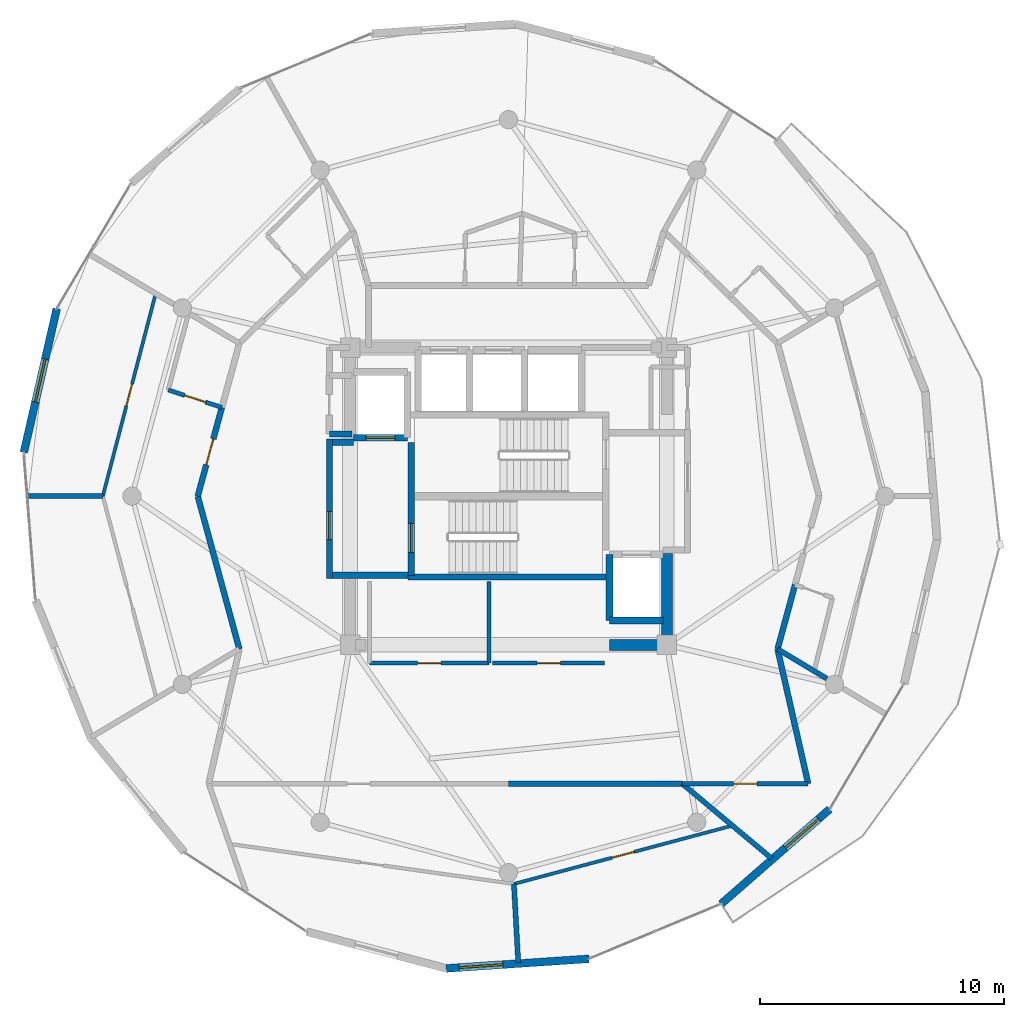
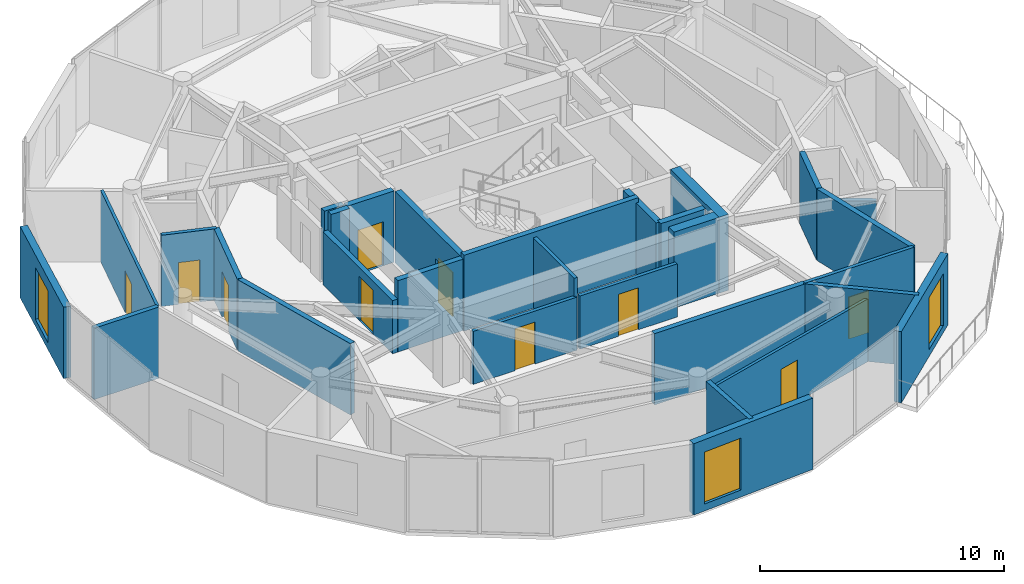
# One storey, part 17 of 22: 30 walls, 10 doors, 3 windows, 13 openings.
"""IFC4 building model written with IfcOpenShell, lengths in metres."""

import ifcopenshell
import ifcopenshell.guid

model = None  # the IFC model being written
_history = None  # IfcOwnerHistory: only IFC2X3 demands one
_inside = {}  # id of a spatial element -> (the spatial element, [elements in it])
_under = {}  # id of a project, library or spatial element -> (it, [spatial elements below it])
_declared = {}  # id of a project -> (the project, [libraries it declares])
_typed = {}  # id of a type object -> (the type object, [elements of that type])
_made_of = {}  # id of a material, layer set ... -> (it, [elements and type objects made of it])


def new_model(schema):
    """Start an empty IFC model of exactly this schema.

    Asked for "IFC4X3", IfcOpenShell would pick the latest addendum, in which some entities
    have other attributes; the version numbers below select the first issue.
    IFC2X3 requires an IfcOwnerHistory on every rooted entity: one is made here for all.
    """
    global model, _history
    if schema == "IFC4X3":
        model = ifcopenshell.file(schema_version=(4, 3, 0, 0))
    else:
        model = ifcopenshell.file(schema=schema)
    _inside.clear()
    _under.clear()
    _declared.clear()
    _typed.clear()
    _made_of.clear()
    _history = None
    if model.schema == "IFC2X3":
        org = make("IfcOrganization", Name="unknown")
        user = make(
            "IfcPersonAndOrganization",
            ThePerson=make("IfcPerson", FamilyName="unknown"),
            TheOrganization=org,
        )
        app = make(
            "IfcApplication",
            ApplicationDeveloper=org,
            Version="unknown",
            ApplicationFullName="unknown",
            ApplicationIdentifier="unknown",
        )
        _history = make(
            "IfcOwnerHistory",
            OwningUser=user,
            OwningApplication=app,
            ChangeAction="ADDED",
            CreationDate=0,
        )
    return model


def make(cls, **values):
    """One entity of the class cls with the attributes given. An attribute that is None is left unset."""
    return model.create_entity(
        cls, **{name: value for name, value in values.items() if value is not None}
    )


def rooted(cls, **values):
    """An entity with a GlobalId (a new one), such as an element, a storey or a relation."""
    return make(cls, GlobalId=ifcopenshell.guid.new(), OwnerHistory=_history, **values)


def si_unit(unit_type, name, prefix=None):
    """IfcSIUnit, for example si_unit("LENGTHUNIT", "METRE", prefix="MILLI")."""
    return make("IfcSIUnit", UnitType=unit_type, Prefix=prefix, Name=name)


def assignment(units):
    """IfcUnitAssignment: the units of a project."""
    return None if units is None else make("IfcUnitAssignment", Units=units)


def point(xyz):
    """IfcCartesianPoint."""
    return None if xyz is None else make("IfcCartesianPoint", Coordinates=xyz)


def direction(xyz):
    """IfcDirection."""
    return None if xyz is None else make("IfcDirection", DirectionRatios=xyz)


def frame(location, z_axis=None, x_axis=None):
    """IfcAxis2Placement3D, a coordinate frame: its origin and axes. An axis left out is left unset."""
    return make(
        "IfcAxis2Placement3D",
        Location=point(location),
        Axis=direction(z_axis),
        RefDirection=direction(x_axis),
    )


def frame_2d(location, x_axis=None):
    """IfcAxis2Placement2D, a coordinate frame in the plane: its origin and x axis."""
    return make(
        "IfcAxis2Placement2D", Location=point(location), RefDirection=direction(x_axis)
    )


def origin():
    """The frame at (0, 0, 0) with its axes left unset."""
    return frame((0.0, 0.0, 0.0))


def place(relative_to, where):
    """IfcLocalPlacement: puts the frame where relative to a parent placement (None: the world)."""
    return make(
        "IfcLocalPlacement", PlacementRelTo=relative_to, RelativePlacement=where
    )


def context(
    kind, dimensions, precision=None, world=None, true_north=None, identifier=None
):
    """IfcGeometricRepresentationContext, for example the 3D "Model" context."""
    return make(
        "IfcGeometricRepresentationContext",
        ContextIdentifier=identifier,
        ContextType=kind,
        CoordinateSpaceDimension=dimensions,
        Precision=precision,
        WorldCoordinateSystem=world,
        TrueNorth=true_north,
    )


def subcontext(parent, identifier, kind, view, scale=None):
    """IfcGeometricRepresentationSubContext, for example "Body" below "Model"."""
    return make(
        "IfcGeometricRepresentationSubContext",
        ContextIdentifier=identifier,
        ContextType=kind,
        ParentContext=parent,
        TargetScale=scale,
        TargetView=view,
    )


def project(units=None, contexts=None):
    """IfcProject with its units and contexts."""
    return rooted(
        "IfcProject",
        Name="project",
        RepresentationContexts=contexts,
        UnitsInContext=assignment(units),
    )


def spatial(cls, under=None, at=None, **own):
    """A site, building, storey or space (cls), placed at a placement, below another one or the project."""
    s = rooted(cls, ObjectPlacement=at, **own)
    if under is not None:
        _under.setdefault(under.id(), (under, []))[1].append(s)
    return s


def profile(cls, at=None, kind="AREA", **sizes):
    """A parametric profile (cls). Its sizes go by their IFC names, for example OverallWidth=200.0."""
    return make(cls, ProfileType=kind, Position=at, **sizes)


def rectangle(**sizes):
    """IfcRectangleProfileDef."""
    return profile("IfcRectangleProfileDef", **sizes)


def extrude(swept, where, along, depth):
    """IfcExtrudedAreaSolid: the profile swept, set in the frame where, extruded along a direction by depth."""
    return make(
        "IfcExtrudedAreaSolid",
        SweptArea=swept,
        Position=where,
        ExtrudedDirection=direction(along),
        Depth=depth,
    )


def shape(context_of_items, identifier, shape_type, items):
    """IfcShapeRepresentation: the items that make up one representation, for example the "Body"."""
    return make(
        "IfcShapeRepresentation",
        ContextOfItems=context_of_items,
        RepresentationIdentifier=identifier,
        RepresentationType=shape_type,
        Items=items,
    )


def material(Name=None, Category=None):
    """IfcMaterial."""
    return make("IfcMaterial", Name=Name, Category=Category)


def layer(
    of_material, thickness, ventilated=None, Name=None, Category=None, Priority=None
):
    """IfcMaterialLayer: one layer of a wall or slab, of a material (None: an air gap)."""
    return make(
        "IfcMaterialLayer",
        Material=of_material,
        LayerThickness=thickness,
        IsVentilated=ventilated,
        Name=Name,
        Category=Category,
        Priority=Priority,
    )


def layer_set(layers, Name=None):
    """IfcMaterialLayerSet."""
    return make("IfcMaterialLayerSet", MaterialLayers=layers, LayerSetName=Name)


def made_of(thing, what):
    """Note that an element or type object is made of a material, layer set ...; save() writes the relation."""
    if what is not None:
        _made_of.setdefault(what.id(), (what, []))[1].append(thing)
    return thing


def type_object(cls, material=None, **own):
    """A type object (cls), such as IfcWallType, which elements share."""
    return made_of(rooted(cls, **own), material)


def element(
    cls,
    number,
    at=None,
    inside=None,
    cuts=None,
    type_object=None,
    material=None,
    context=None,
    identifier="Body",
    shape_type=None,
    held_by="IfcProductDefinitionShape",
    body=None,
    shapes=None,
    **own,
):
    """One element of the class cls, such as IfcWall. Its Tag is "e" and its number.

    at: its placement. inside: the storey or other place that contains it. cuts: it is an
    opening in that element (IfcRelVoidsElement). A single representation is given by context,
    identifier, shape_type and body (its items); several are given by shapes. held_by: the class
    of the entity that holds the representations. save() writes the other relations.
    """
    e = rooted(cls, Tag="e%d" % number, ObjectPlacement=at, **own)
    if body is not None:
        shapes = [shape(context, identifier, shape_type, body)]
    if shapes is not None:
        e.Representation = make(held_by, Representations=shapes)
    if inside is not None:
        _inside.setdefault(inside.id(), (inside, []))[1].append(e)
    if cuts is not None:
        rooted(
            "IfcRelVoidsElement", RelatingBuildingElement=cuts, RelatedOpeningElement=e
        )
    if type_object is not None:
        _typed.setdefault(type_object.id(), (type_object, []))[1].append(e)
    return made_of(e, material)


def fill(opening, filler):
    """IfcRelFillsElement: the door or window that sits in an opening."""
    return rooted(
        "IfcRelFillsElement",
        RelatingOpeningElement=opening,
        RelatedBuildingElement=filler,
    )


def aggregate(whole, parts):
    """IfcRelAggregates: a whole, such as a stair, and the parts it consists of."""
    return rooted("IfcRelAggregates", RelatingObject=whole, RelatedObjects=parts)


def save(model, path):
    """Write the relations noted so far, then the file.

    IfcRelAggregates (storeys below a building ...), IfcRelContainedInSpatialStructure (elements
    in a storey), IfcRelDefinesByType, IfcRelAssociatesMaterial and IfcRelDeclares: one each for
    every whole, place, type object, material and project.
    """
    for whole, parts in _under.values():
        aggregate(whole, parts)
    for where, things in _inside.values():
        rooted(
            "IfcRelContainedInSpatialStructure",
            RelatedElements=things,
            RelatingStructure=where,
        )
    for kind, things in _typed.values():
        rooted("IfcRelDefinesByType", RelatedObjects=things, RelatingType=kind)
    for what, things in _made_of.values():
        rooted("IfcRelAssociatesMaterial", RelatedObjects=things, RelatingMaterial=what)
    for by, libraries in _declared.values():
        rooted("IfcRelDeclares", RelatingContext=by, RelatedDefinitions=libraries)
    model.write(path)


model = new_model("IFC4")

# Units and contexts
model_context = context("Model", 3, precision=1e-05, world=origin(), true_north=direction((0.0, 1.0)))
body_context = subcontext(model_context, "Body", "Model", "MODEL_VIEW")
ifc_project = project(units=[si_unit("LENGTHUNIT", "METRE"), si_unit("AREAUNIT", "SQUARE_METRE"), si_unit("VOLUMEUNIT", "CUBIC_METRE"), si_unit("PLANEANGLEUNIT", "RADIAN"), si_unit("MASSUNIT", "GRAM", prefix="KILO")], contexts=[model_context])

# Site, building, storey
site_placement = place(None, origin())
site = spatial("IfcSite", under=ifc_project, at=site_placement, CompositionType="ELEMENT")
building_placement = place(site_placement, origin())
building = spatial("IfcBuilding", under=site, at=building_placement, Name="Solvirekh Grand Hotel", CompositionType="ELEMENT")
storey_placement = place(building_placement, frame((0.0, 0.0, 239.199951171875)))
storey = spatial("IfcBuildingStorey", under=building, at=storey_placement, Name="L62", CompositionType="ELEMENT", Elevation=239.199951171875)

# Wall
ifc_material_1 = material(Name="Concrete C50/60", Category="concrete")
ifc_layer_1 = layer(ifc_material_1, 0.35009765625)
ifc_layer_set_1 = layer_set([ifc_layer_1], Name="Concrete C50/60")
wall_type_1 = type_object("IfcWallType", Name="CoreDivWall_RC350", PredefinedType="SOLIDWALL", material=ifc_layer_set_1)
wall_1_placement = place(storey_placement, frame((-4.1298828125, -3.324951171875, 0.0), z_axis=(0.0, 0.0, 1.0), x_axis=(1.0, 0.0, 0.0)))
element("IfcWall", 1, at=wall_1_placement, inside=storey, type_object=wall_type_1, Name="L62 core stair box wall ST-S", PredefinedType="SOLIDWALL", context=body_context, shape_type="SweptSolid", body=[
    extrude(rectangle(XDim=8.259765625, YDim=0.25, at=frame_2d((4.1298828125, 0.0))), origin(), (0.0, 0.0, 1.0), 3.800048828125),
])

# Wall, opening, door
ifc_material_2 = material(Name="Concrete C40/50", Category="concrete")
ifc_layer_2 = layer(ifc_material_2, 0.280029296875)
ifc_layer_set_2 = layer_set([ifc_layer_2], Name="Concrete C40/50")
wall_type_2 = type_object("IfcWallType", Name="CoreShaftWall_RC280", PredefinedType="SOLIDWALL", material=ifc_layer_set_2)
wall_2_placement = place(storey_placement, frame((-6.35009765625, 2.39990234375, 0.0), z_axis=(0.0, 0.0, 1.0), x_axis=(1.0, 0.0, 0.0)))
wall_2 = element("IfcWall", 2, at=wall_2_placement, inside=storey, type_object=wall_type_2, Name="L62 FL-1 hoistway S wall", PredefinedType="SOLIDWALL", context=body_context, shape_type="SweptSolid", body=[
    extrude(rectangle(XDim=2.2001953125, YDim=0.280029296875, at=frame_2d((1.10009765625, 0.0))), origin(), (0.0, 0.0, 1.0), 3.570068359375),
])
opening_1_placement = place(wall_2_placement, frame((0.5, 0.0, 0.0)))
opening_1 = element("IfcOpeningElement", 3, at=opening_1_placement, cuts=wall_2, Name="Opening LD02", PredefinedType="OPENING", context=body_context, shape_type="SweptSolid", body=[
    extrude(rectangle(XDim=1.199951171875, YDim=2.199951171875, at=frame_2d((0.60009765625, 1.10009765625))), frame((0.0, 0.14990234375, 0.0), z_axis=(0.0, -1.0, 0.0), x_axis=(1.0, 0.0, 0.0)), (0.0, 0.0, 1.0), 0.300048828125),
])
ifc_material_3 = material(Name="Fire-Rated Steel Door Assembly", Category="steel")
door_type_1 = type_object("IfcDoorType", Name="Door_LiftFF_1200X2200", OperationType="SLIDING_TO_LEFT", PredefinedType="DOOR", material=ifc_material_3)
door_1_placement = place(opening_1_placement, origin())
door_1 = element("IfcDoor", 4, at=door_1_placement, inside=storey, type_object=door_type_1, Name="L62 FL-1 sliding lift landing door", OperationType="SLIDING_TO_LEFT", OverallHeight=2.199951171875, OverallWidth=1.199951171875, PredefinedType="DOOR", context=body_context, shape_type="SweptSolid", body=[
    extrude(rectangle(XDim=1.199951171875, YDim=2.199951171875, at=frame_2d((0.60009765625, 1.10009765625))), frame((0.0, 0.02490234375, 0.0), z_axis=(0.0, -1.0, 0.0), x_axis=(1.0, 0.0, 0.0)), (0.0, 0.0, 1.0), 0.050048828125),
])
fill(opening_1, door_1)

# Walls
wall_3_placement = place(storey_placement, frame((4.14990234375, -5.10009765625, 0.0), z_axis=(0.0, 0.0, 1.0), x_axis=(1.0, 0.0, 0.0)))
element("IfcWall", 5, at=wall_3_placement, inside=storey, type_object=wall_type_2, Name="L62 FL-2 hoistway S wall", PredefinedType="SOLIDWALL", context=body_context, shape_type="SweptSolid", body=[
    extrude(rectangle(XDim=2.2001953125, YDim=0.280029296875, at=frame_2d((1.10009765625, 0.0))), origin(), (0.0, 0.0, 1.0), 3.570068359375),
])
wall_4_placement = place(storey_placement, frame((4.14990234375, -2.39990234375, 0.0), z_axis=(0.0, 0.0, 1.0), x_axis=(0.0, -1.0, 0.0)))
element("IfcWall", 6, at=wall_4_placement, inside=storey, type_object=wall_type_2, Name="L62 FL-2 hoistway W wall", PredefinedType="SOLIDWALL", context=body_context, shape_type="SweptSolid", body=[
    extrude(rectangle(XDim=2.7001953125, YDim=0.280029296875, at=frame_2d((1.35009765625, 0.0))), origin(), (0.0, 0.0, 1.0), 3.570068359375),
])

# Wall, opening, door
wall_5_placement = place(storey_placement, frame((-3.989990234375, -3.25, 0.0), z_axis=(0.0, 0.0, 1.0), x_axis=(0.0, 1.0, 0.0)))
wall_5 = element("IfcWall", 7, at=wall_5_placement, inside=storey, type_object=wall_type_2, Name="L62 west stair landing enclosure wall", PredefinedType="SOLIDWALL", context=body_context, shape_type="SweptSolid", body=[
    extrude(rectangle(XDim=5.4599609375, YDim=0.280029296875, at=frame_2d((2.72998046875, 0.0))), origin(), (0.0, 0.0, 1.0), 3.570068359375),
])
opening_2_placement = place(wall_5_placement, frame((0.93701171875, 0.0, 0.0)))
opening_2 = element("IfcOpeningElement", 8, at=opening_2_placement, cuts=wall_5, Name="Opening D05", PredefinedType="OPENING", context=body_context, shape_type="SweptSolid", body=[
    extrude(rectangle(XDim=1.199951171875, YDim=2.199951171875, at=frame_2d((0.60009765625, 1.10009765625))), frame((0.0, 0.14990234375, 0.0), z_axis=(0.0, -1.0, 0.0), x_axis=(1.0, 0.0, 0.0)), (0.0, 0.0, 1.0), 0.300048828125),
])
door_type_2 = type_object("IfcDoorType", Name="Door_StairCore_1200X2200", OperationType="NOTDEFINED", PredefinedType="DOOR", material=ifc_material_3)
door_2_placement = place(opening_2_placement, origin())
door_2 = element("IfcDoor", 9, at=door_2_placement, inside=storey, type_object=door_type_2, Name="L62 exit stair ST-1 fire door", OperationType="SINGLE_SWING_RIGHT", OverallHeight=2.199951171875, OverallWidth=1.199951171875, PredefinedType="DOOR", context=body_context, shape_type="SweptSolid", body=[
    extrude(rectangle(XDim=1.199951171875, YDim=2.199951171875, at=frame_2d((0.60009765625, 1.10009765625))), frame((0.0, 0.02490234375, 0.0), z_axis=(0.0, -1.0, 0.0), x_axis=(1.0, 0.0, 0.0)), (0.0, 0.0, 1.0), 0.050048828125),
])
fill(opening_2, door_2)

# Walls
ifc_layer_3 = layer(ifc_material_1, 0.449951171875)
ifc_layer_set_3 = layer_set([ifc_layer_3], Name="Concrete C50/60")
wall_type_3 = type_object("IfcWallType", Name="CoreWall_RC450", PredefinedType="SHEAR", material=ifc_layer_set_3)
wall_6_placement = place(storey_placement, frame((4.14990234375, -6.10009765625, 0.0), z_axis=(0.0, 0.0, 1.0), x_axis=(1.0, 0.0, 0.0)))
element("IfcWall", 10, at=wall_6_placement, inside=storey, type_object=wall_type_3, Name="L62 core corner shear wall SE-S", PredefinedType="SHEAR", context=body_context, shape_type="SweptSolid", body=[
    extrude(rectangle(XDim=2.125, YDim=0.449951171875, at=frame_2d((1.0625, 0.0))), origin(), (0.0, 0.0, 1.0), 3.800048828125),
])
wall_7_placement = place(storey_placement, frame((6.5, -6.324951171875, 0.0), z_axis=(0.0, 0.0, 1.0), x_axis=(0.0, 1.0, 0.0)))
element("IfcWall", 11, at=wall_7_placement, inside=storey, type_object=wall_type_3, Name="L62 core corner shear wall ES-E", PredefinedType="SHEAR", context=body_context, shape_type="SweptSolid", body=[
    extrude(rectangle(XDim=3.974853515625, YDim=0.449951171875, at=frame_2d((1.9873046875, 0.0))), origin(), (0.0, 0.0, 1.0), 3.800048828125),
])

# Wall, opening, window
ifc_material_4 = material(Name="Precast concrete C45/55", Category="concrete")
ifc_layer_4 = layer(ifc_material_4, 0.320068359375)
ifc_layer_set_4 = layer_set([ifc_layer_4], Name="Precast concrete C45/55")
wall_type_4 = type_object("IfcWallType", Name="ExtLobbyWall_RC320", PredefinedType="SOLIDWALL", material=ifc_layer_set_4)
wall_8_placement = place(storey_placement, frame((13.181884765625, -12.842041015625, 0.0), z_axis=(0.0, 0.0, 1.0), x_axis=(-0.753243589512, -0.657741662706, 0.0)))
wall_8 = element("IfcWall", 12, at=wall_8_placement, inside=storey, type_object=wall_type_4, Name="L62 exterior structural wall chord 2", PredefinedType="SOLIDWALL", context=body_context, shape_type="SweptSolid", body=[
    extrude(rectangle(XDim=5.91552734375, YDim=0.320068359375, at=frame_2d((2.957763671875, 0.0))), origin(), (0.0, 0.0, 1.0), 3.570068359375),
])
opening_3_placement = place(wall_8_placement, frame((0.612060546875, 0.0, 0.35009765625)))
opening_3 = element("IfcOpeningElement", 13, at=opening_3_placement, cuts=wall_8, Name="Opening W02", PredefinedType="OPENING", context=body_context, shape_type="SweptSolid", body=[
    extrude(rectangle(XDim=1.800048828125, YDim=2.60009765625, at=frame_2d((0.89990234375, 1.300048828125))), frame((0.0, 0.169921875, 0.0), z_axis=(0.0, -1.0, 0.0), x_axis=(1.0, 0.0, 0.0)), (0.0, 0.0, 1.0), 0.340087890625),
])
ifc_material_5 = material(Name="Low-E Tinted Bronze Laminated Glass", Category="aluminium")
window_type = type_object("IfcWindowType", Name="Win_LobbyExt_1800X2600", PartitioningType="SINGLE_PANEL", PredefinedType="WINDOW", material=ifc_material_5)
window_1_placement = place(opening_3_placement, origin())
window_1 = element("IfcWindow", 14, at=window_1_placement, inside=storey, type_object=window_type, Name="L62 panoramic bronze-framed window 2", OverallHeight=2.60009765625, OverallWidth=1.800048828125, PartitioningType="SINGLE_PANEL", PredefinedType="WINDOW", context=body_context, shape_type="SweptSolid", body=[
    extrude(rectangle(XDim=1.800048828125, YDim=2.60009765625, at=frame_2d((0.89990234375, 1.300048828125))), frame((0.0, 0.030029296875, 0.0), z_axis=(0.0, -1.0, 0.0), x_axis=(1.0, 0.0, 0.0)), (0.0, 0.0, 1.0), 0.06005859375),
])
fill(opening_3, window_1)

wall_9_placement = place(storey_placement, frame((-19.886962890625, 1.794921875, 0.0), z_axis=(0.0, 0.0, 1.0), x_axis=(0.223212485592, 0.974769811943, 0.0)))
wall_9 = element("IfcWall", 15, at=wall_9_placement, inside=storey, type_object=wall_type_4, Name="L62 exterior structural wall chord 14", PredefinedType="SOLIDWALL", context=body_context, shape_type="SweptSolid", body=[
    extrude(rectangle(XDim=6.052978515625, YDim=0.320068359375, at=frame_2d((3.0263671875, 0.0))), origin(), (0.0, 0.0, 1.0), 3.570068359375),
])
opening_4_placement = place(wall_9_placement, frame((2.1259765625, 0.0, 0.35009765625)))
opening_4 = element("IfcOpeningElement", 16, at=opening_4_placement, cuts=wall_9, Name="Opening W02", PredefinedType="OPENING", context=body_context, shape_type="SweptSolid", body=[
    extrude(rectangle(XDim=1.800048828125, YDim=2.60009765625, at=frame_2d((0.89990234375, 1.300048828125))), frame((0.0, 0.169921875, 0.0), z_axis=(0.0, -1.0, 0.0), x_axis=(1.0, 0.0, 0.0)), (0.0, 0.0, 1.0), 0.340087890625),
])
window_2_placement = place(opening_4_placement, origin())
window_2 = element("IfcWindow", 17, at=window_2_placement, inside=storey, type_object=window_type, Name="L62 panoramic bronze-framed window 14", OverallHeight=2.60009765625, OverallWidth=1.800048828125, PartitioningType="SINGLE_PANEL", PredefinedType="WINDOW", context=body_context, shape_type="SweptSolid", body=[
    extrude(rectangle(XDim=1.800048828125, YDim=2.60009765625, at=frame_2d((0.89990234375, 1.300048828125))), frame((0.0, 0.030029296875, 0.0), z_axis=(0.0, -1.0, 0.0), x_axis=(1.0, 0.0, 0.0)), (0.0, 0.0, 1.0), 0.06005859375),
])
fill(opening_4, window_2)

wall_10_placement = place(storey_placement, frame((3.302978515625, -18.985107421875, 0.0), z_axis=(0.0, 0.0, 1.0), x_axis=(-0.997748768453, -0.067062620365, 0.0)))
wall_10 = element("IfcWall", 18, at=wall_10_placement, inside=storey, type_object=wall_type_4, Name="L62 exterior structural wall chord 20", PredefinedType="SOLIDWALL", context=body_context, shape_type="SweptSolid", body=[
    extrude(rectangle(XDim=5.8720703125, YDim=0.320068359375, at=frame_2d((2.93603515625, 0.0))), origin(), (0.0, 0.0, 1.0), 3.570068359375),
])
opening_5_placement = place(wall_10_placement, frame((3.5390625, 0.0, 0.35009765625)))
opening_5 = element("IfcOpeningElement", 19, at=opening_5_placement, cuts=wall_10, Name="Opening W02", PredefinedType="OPENING", context=body_context, shape_type="SweptSolid", body=[
    extrude(rectangle(XDim=1.800048828125, YDim=2.60009765625, at=frame_2d((0.89990234375, 1.300048828125))), frame((0.0, 0.169921875, 0.0), z_axis=(0.0, -1.0, 0.0), x_axis=(1.0, 0.0, 0.0)), (0.0, 0.0, 1.0), 0.340087890625),
])
window_3_placement = place(opening_5_placement, origin())
window_3 = element("IfcWindow", 20, at=window_3_placement, inside=storey, type_object=window_type, Name="L62 panoramic bronze-framed window 20", OverallHeight=2.60009765625, OverallWidth=1.800048828125, PartitioningType="SINGLE_PANEL", PredefinedType="WINDOW", context=body_context, shape_type="SweptSolid", body=[
    extrude(rectangle(XDim=1.800048828125, YDim=2.60009765625, at=frame_2d((0.89990234375, 1.300048828125))), frame((0.0, 0.030029296875, 0.0), z_axis=(0.0, -1.0, 0.0), x_axis=(1.0, 0.0, 0.0)), (0.0, 0.0, 1.0), 0.06005859375),
])
fill(opening_5, window_3)

# Wall, opening, door
ifc_material_6 = material(Name="Acoustic Gypsum Partition Assembly")
ifc_layer_5 = layer(ifc_material_6, 0.1650390625)
ifc_layer_set_5 = layer_set([ifc_layer_5], Name="Acoustic Gypsum Partition Assembly")
wall_type_5 = type_object("IfcWallType", Name="Part_BOH_165", PredefinedType="PARTITIONING", material=ifc_layer_set_5)
wall_11_placement = place(storey_placement, frame((-5.699951171875, -6.85009765625, 0.0), z_axis=(0.0, 0.0, 1.0), x_axis=(1.0, 0.0, 0.0)))
wall_11 = element("IfcWall", 21, at=wall_11_placement, inside=storey, type_object=wall_type_5, Name="L62 High-Zone Housekeeping Linen Room wall 1", PredefinedType="PARTITIONING", context=body_context, shape_type="SweptSolid", body=[
    extrude(rectangle(XDim=4.89990234375, YDim=0.1650390625, at=frame_2d((2.449951171875, 0.0))), origin(), (0.0, 0.0, 1.0), 2.655029296875),
])
opening_6_placement = place(wall_11_placement, frame((1.97509765625, 0.0, 0.0)))
opening_6 = element("IfcOpeningElement", 22, at=opening_6_placement, cuts=wall_11, Name="Opening D10", PredefinedType="OPENING", context=body_context, shape_type="SweptSolid", body=[
    extrude(rectangle(XDim=0.949951171875, YDim=2.10009765625, at=frame_2d((0.47509765625, 1.050048828125))), frame((0.0, 0.092529296875, 0.0), z_axis=(0.0, -1.0, 0.0), x_axis=(1.0, 0.0, 0.0)), (0.0, 0.0, 1.0), 0.18505859375),
])
ifc_material_7 = material(Name="Anodized Bronze Aluminium 6063-T6", Category="aluminium")
door_type_3 = type_object("IfcDoorType", Name="Door_RoomInt_950X2100", OperationType="NOTDEFINED", PredefinedType="DOOR", material=ifc_material_7)
door_3_placement = place(opening_6_placement, origin())
door_3 = element("IfcDoor", 23, at=door_3_placement, inside=storey, type_object=door_type_3, Name="L62 High-Zone Housekeeping Linen Room door", OperationType="SINGLE_SWING_RIGHT", OverallHeight=2.10009765625, OverallWidth=0.949951171875, PredefinedType="DOOR", context=body_context, shape_type="SweptSolid", body=[
    extrude(rectangle(XDim=0.949951171875, YDim=2.10009765625, at=frame_2d((0.47509765625, 1.050048828125))), frame((0.0, 0.02490234375, 0.0), z_axis=(0.0, -1.0, 0.0), x_axis=(1.0, 0.0, 0.0)), (0.0, 0.0, 1.0), 0.050048828125),
])
fill(opening_6, door_3)

# Wall
wall_12_placement = place(storey_placement, frame((-0.800048828125, -6.85009765625, 0.0), z_axis=(0.0, 0.0, 1.0), x_axis=(0.0, 1.0, 0.0)))
element("IfcWall", 24, at=wall_12_placement, inside=storey, type_object=wall_type_5, Name="L62 High-Zone Housekeeping Linen Room wall 2", PredefinedType="PARTITIONING", context=body_context, shape_type="SweptSolid", body=[
    extrude(rectangle(XDim=3.35009765625, YDim=0.1650390625, at=frame_2d((1.675048828125, 0.0))), origin(), (0.0, 0.0, 1.0), 3.570068359375),
])

# Wall, opening, door
wall_13_placement = place(storey_placement, frame((-0.64990234375, -6.85009765625, 0.0), z_axis=(0.0, 0.0, 1.0), x_axis=(1.0, 0.0, 0.0)))
wall_13 = element("IfcWall", 25, at=wall_13_placement, inside=storey, type_object=wall_type_5, Name="L62 Butler Valet Steward Room wall 1", PredefinedType="PARTITIONING", context=body_context, shape_type="SweptSolid", body=[
    extrude(rectangle(XDim=4.599853515625, YDim=0.1650390625, at=frame_2d((2.2998046875, 0.0))), origin(), (0.0, 0.0, 1.0), 2.655029296875),
])
opening_7_placement = place(wall_13_placement, frame((1.824951171875, 0.0, 0.0)))
opening_7 = element("IfcOpeningElement", 26, at=opening_7_placement, cuts=wall_13, Name="Opening D10", PredefinedType="OPENING", context=body_context, shape_type="SweptSolid", body=[
    extrude(rectangle(XDim=0.949951171875, YDim=2.10009765625, at=frame_2d((0.47509765625, 1.050048828125))), frame((0.0, 0.092529296875, 0.0), z_axis=(0.0, -1.0, 0.0), x_axis=(1.0, 0.0, 0.0)), (0.0, 0.0, 1.0), 0.18505859375),
])
door_4_placement = place(opening_7_placement, origin())
door_4 = element("IfcDoor", 27, at=door_4_placement, inside=storey, type_object=door_type_3, Name="L62 Butler Valet Steward Room door", OperationType="SINGLE_SWING_LEFT", OverallHeight=2.10009765625, OverallWidth=0.949951171875, PredefinedType="DOOR", context=body_context, shape_type="SweptSolid", body=[
    extrude(rectangle(XDim=0.949951171875, YDim=2.10009765625, at=frame_2d((0.47509765625, 1.050048828125))), frame((0.0, 0.02490234375, 0.0), z_axis=(0.0, -1.0, 0.0), x_axis=(1.0, 0.0, 0.0)), (0.0, 0.0, 1.0), 0.050048828125),
])
fill(opening_7, door_4)

wall_14_placement = place(storey_placement, frame((7.134033203125, -11.800048828125, 0.0), z_axis=(0.0, 0.0, 1.0), x_axis=(1.0, 0.0, 0.0)))
wall_14 = element("IfcWall", 28, at=wall_14_placement, inside=storey, type_object=wall_type_5, Name="L62 L62 Butler Valet & Linen Steward Room entrance wall", PredefinedType="PARTITIONING", context=body_context, shape_type="SweptSolid", body=[
    extrude(rectangle(XDim=5.166015625, YDim=0.1650390625, at=frame_2d((2.5830078125, 0.0))), origin(), (0.0, 0.0, 1.0), 3.570068359375),
])
opening_8_placement = place(wall_14_placement, frame((2.10791015625, 0.0, 0.0)))
opening_8 = element("IfcOpeningElement", 29, at=opening_8_placement, cuts=wall_14, Name="Opening D10", PredefinedType="OPENING", context=body_context, shape_type="SweptSolid", body=[
    extrude(rectangle(XDim=0.949951171875, YDim=2.10009765625, at=frame_2d((0.47509765625, 1.050048828125))), frame((0.0, 0.092529296875, 0.0), z_axis=(0.0, -1.0, 0.0), x_axis=(1.0, 0.0, 0.0)), (0.0, 0.0, 1.0), 0.18505859375),
])
door_5_placement = place(opening_8_placement, origin())
door_5 = element("IfcDoor", 30, at=door_5_placement, inside=storey, type_object=door_type_3, Name="L62 L62 Butler Valet & Linen Steward Room entrance door", OperationType="SINGLE_SWING_RIGHT", OverallHeight=2.10009765625, OverallWidth=0.949951171875, PredefinedType="DOOR", context=body_context, shape_type="SweptSolid", body=[
    extrude(rectangle(XDim=0.949951171875, YDim=2.10009765625, at=frame_2d((0.47509765625, 1.050048828125))), frame((0.0, 0.02490234375, 0.0), z_axis=(0.0, -1.0, 0.0), x_axis=(1.0, 0.0, 0.0)), (0.0, 0.0, 1.0), 0.050048828125),
])
fill(opening_8, door_5)

ifc_layer_6 = layer(ifc_material_6, 0.239990234375)
ifc_layer_set_6 = layer_set([ifc_layer_6], Name="Acoustic Gypsum Partition Assembly")
wall_type_6 = type_object("IfcWallType", Name="Part_Corridor_240", PredefinedType="PARTITIONING", material=ifc_layer_set_6)
wall_15_placement = place(storey_placement, frame((-7.35009765625, -3.3798828125, 0.0), z_axis=(0.0, 0.0, 1.0), x_axis=(0.0, 1.0, 0.0)))
wall_15 = element("IfcWall", 31, at=wall_15_placement, inside=storey, type_object=wall_type_6, Name="L62 west firefighting lobby smoke screen wall", PredefinedType="PARTITIONING", context=body_context, shape_type="SweptSolid", body=[
    extrude(rectangle(XDim=5.719970703125, YDim=0.239990234375, at=frame_2d((2.85986328125, 0.0))), origin(), (0.0, 0.0, 1.0), 2.655029296875),
])
opening_9_placement = place(wall_15_placement, frame((1.59912109375, 0.0, 0.0)))
opening_9 = element("IfcOpeningElement", 32, at=opening_9_placement, cuts=wall_15, Name="Opening D06", PredefinedType="OPENING", context=body_context, shape_type="SweptSolid", body=[
    extrude(rectangle(XDim=1.14990234375, YDim=2.199951171875, at=frame_2d((0.574951171875, 1.10009765625))), frame((0.0, 0.1298828125, 0.0), z_axis=(0.0, -1.0, 0.0), x_axis=(1.0, 0.0, 0.0)), (0.0, 0.0, 1.0), 0.260009765625),
])
door_type_4 = type_object("IfcDoorType", Name="Door_FFLobby_1150X2200", OperationType="NOTDEFINED", PredefinedType="DOOR", material=ifc_material_3)
door_6_placement = place(opening_9_placement, origin())
door_6 = element("IfcDoor", 33, at=door_6_placement, inside=storey, type_object=door_type_4, Name="L62 west firefighting lobby smoke door", OperationType="SINGLE_SWING_RIGHT", OverallHeight=2.199951171875, OverallWidth=1.14990234375, PredefinedType="DOOR", context=body_context, shape_type="SweptSolid", body=[
    extrude(rectangle(XDim=1.14990234375, YDim=2.199951171875, at=frame_2d((0.574951171875, 1.10009765625))), frame((0.0, 0.02490234375, 0.0), z_axis=(0.0, -1.0, 0.0), x_axis=(1.0, 0.0, 0.0)), (0.0, 0.0, 1.0), 0.050048828125),
])
fill(opening_9, door_6)

# Wall
wall_16_placement = place(storey_placement, frame((-12.75, 0.0, 0.0), z_axis=(0.0, 0.0, 1.0), x_axis=(0.262640884433, -0.964893655189, 0.0)))
element("IfcWall", 34, at=wall_16_placement, inside=storey, type_object=wall_type_6, Name="L62 Executive Suite 6404 Living Room corridor wall 1", PredefinedType="PARTITIONING", context=body_context, shape_type="SweptSolid", body=[
    extrude(rectangle(XDim=6.503173828125, YDim=0.239990234375, at=frame_2d((3.25146484375, 0.0))), origin(), (0.0, 0.0, 1.0), 3.570068359375),
])

# Wall, opening, door
wall_17_placement = place(storey_placement, frame((-11.759033203125, 3.639892578125, 0.0), z_axis=(0.0, 0.0, 1.0), x_axis=(-0.2626902414, -0.964880219029, 0.0)))
wall_17 = element("IfcWall", 35, at=wall_17_placement, inside=storey, type_object=wall_type_6, Name="L62 Executive Suite 6404 Living Room entrance wall", PredefinedType="PARTITIONING", context=body_context, shape_type="SweptSolid", body=[
    extrude(rectangle(XDim=3.7724609375, YDim=0.239990234375, at=frame_2d((1.88623046875, 0.0))), origin(), (0.0, 0.0, 1.0), 3.570068359375),
])
opening_10_placement = place(wall_17_placement, frame((1.3359375, 0.0, 0.0)))
opening_10 = element("IfcOpeningElement", 36, at=opening_10_placement, cuts=wall_17, Name="Opening D08", PredefinedType="OPENING", context=body_context, shape_type="SweptSolid", body=[
    extrude(rectangle(XDim=1.10009765625, YDim=2.300048828125, at=frame_2d((0.550048828125, 1.14990234375))), frame((0.0, 0.1298828125, 0.0), z_axis=(0.0, -1.0, 0.0), x_axis=(1.0, 0.0, 0.0)), (0.0, 0.0, 1.0), 0.260009765625),
])
door_type_5 = type_object("IfcDoorType", Name="Door_SuiteEntry_1100X2300", OperationType="NOTDEFINED", PredefinedType="DOOR", material=ifc_material_3)
door_7_placement = place(opening_10_placement, origin())
door_7 = element("IfcDoor", 37, at=door_7_placement, inside=storey, type_object=door_type_5, Name="L62 Executive Suite 6404 Living Room entrance door", OperationType="SINGLE_SWING_LEFT", OverallHeight=2.300048828125, OverallWidth=1.10009765625, PredefinedType="DOOR", context=body_context, shape_type="SweptSolid", body=[
    extrude(rectangle(XDim=1.10009765625, YDim=2.300048828125, at=frame_2d((0.550048828125, 1.14990234375))), frame((0.0, 0.02490234375, 0.0), z_axis=(0.0, -1.0, 0.0), x_axis=(1.0, 0.0, 0.0)), (0.0, 0.0, 1.0), 0.050048828125),
])
fill(opening_10, door_7)

# Walls
wall_18_placement = place(storey_placement, frame((11.0419921875, -6.27490234375, 0.0), z_axis=(0.0, 0.0, 1.0), x_axis=(0.262572701387, 0.964912211803, 0.0)))
element("IfcWall", 38, at=wall_18_placement, inside=storey, type_object=wall_type_6, Name="L62 En-suite Bathroom 6405 corridor backing wall", PredefinedType="PARTITIONING", context=body_context, shape_type="SweptSolid", body=[
    extrude(rectangle(XDim=2.730712890625, YDim=0.239990234375, at=frame_2d((1.365234375, 0.0))), origin(), (0.0, 0.0, 1.0), 3.570068359375),
])
wall_19_placement = place(storey_placement, frame((0.0, -11.800048828125, 0.0), z_axis=(0.0, 0.0, 1.0), x_axis=(1.0, 0.0, 0.0)))
element("IfcWall", 39, at=wall_19_placement, inside=storey, type_object=wall_type_6, Name="L62 L62 Sky Club Reading Lounge corridor wall 1", PredefinedType="PARTITIONING", context=body_context, shape_type="SweptSolid", body=[
    extrude(rectangle(XDim=7.134033203125, YDim=0.239990234375, at=frame_2d((3.56689453125, 0.0))), origin(), (0.0, 0.0, 1.0), 3.570068359375),
])
wall_20_placement = place(storey_placement, frame((12.300048828125, -11.800048828125, 0.0), z_axis=(0.0, 0.0, 1.0), x_axis=(-0.222014008723, 0.975043475918, 0.0)))
element("IfcWall", 40, at=wall_20_placement, inside=storey, type_object=wall_type_6, Name="L62 L62 Butler Valet & Linen Steward Room corridor wall 1", PredefinedType="PARTITIONING", context=body_context, shape_type="SweptSolid", body=[
    extrude(rectangle(XDim=5.66650390625, YDim=0.239990234375, at=frame_2d((2.833251953125, 0.0))), origin(), (0.0, 0.0, 1.0), 3.570068359375),
])
ifc_layer_7 = layer(ifc_material_6, 0.260009765625)
ifc_layer_set_7 = layer_set([ifc_layer_7], Name="Acoustic Gypsum Partition Assembly")
wall_type_7 = type_object("IfcWallType", Name="Part_LobbyFF_260", PredefinedType="PARTITIONING", material=ifc_layer_set_7)
wall_21_placement = place(storey_placement, frame((-7.22509765625, -3.25, 0.0), z_axis=(0.0, 0.0, 1.0), x_axis=(1.0, 0.0, 0.0)))
element("IfcWall", 41, at=wall_21_placement, inside=storey, type_object=wall_type_7, Name="L62 west firefighting lobby south partition", PredefinedType="PARTITIONING", context=body_context, shape_type="SweptSolid", body=[
    extrude(rectangle(XDim=3.09521484375, YDim=0.260009765625, at=frame_2d((1.547607421875, 0.0))), origin(), (0.0, 0.0, 1.0), 3.570068359375),
])
wall_22_placement = place(storey_placement, frame((-7.22509765625, 2.2099609375, 0.0), z_axis=(0.0, 0.0, 1.0), x_axis=(1.0, 0.0, 0.0)))
element("IfcWall", 42, at=wall_22_placement, inside=storey, type_object=wall_type_7, Name="L62 west firefighting lobby NW cheek", PredefinedType="PARTITIONING", context=body_context, shape_type="SweptSolid", body=[
    extrude(rectangle(XDim=0.875, YDim=0.260009765625, at=frame_2d((0.4375, 0.0))), origin(), (0.0, 0.0, 1.0), 3.570068359375),
])
wall_23_placement = place(storey_placement, frame((-7.35009765625, 2.550048828125, 0.0), z_axis=(0.0, 0.0, 1.0), x_axis=(1.0, 0.0, 0.0)))
element("IfcWall", 43, at=wall_23_placement, inside=storey, type_object=wall_type_7, Name="L62 NW telecom metering cupboard south wall", PredefinedType="PARTITIONING", context=body_context, shape_type="SweptSolid", body=[
    extrude(rectangle(XDim=0.93017578125, YDim=0.260009765625, at=frame_2d((0.465087890625, 0.0))), origin(), (0.0, 0.0, 1.0), 3.570068359375),
])

# Wall, opening, door
ifc_layer_8 = layer(ifc_material_6, 0.135009765625)
ifc_layer_set_8 = layer_set([ifc_layer_8], Name="Acoustic Gypsum Partition Assembly")
wall_type_8 = type_object("IfcWallType", Name="Part_RoomInt_135", PredefinedType="PARTITIONING", material=ifc_layer_set_8)
wall_24_placement = place(storey_placement, frame((-14.47509765625, 8.31298828125, 0.0), z_axis=(0.0, 0.0, 1.0), x_axis=(-0.252565334536, -0.967579842592, 0.0)))
wall_24 = element("IfcWall", 44, at=wall_24_placement, inside=storey, type_object=wall_type_8, Name="L62 Executive Suite 6404 Living Room bedroom screen wall", PredefinedType="PARTITIONING", context=body_context, shape_type="SweptSolid", body=[
    extrude(rectangle(XDim=8.591552734375, YDim=0.135009765625, at=frame_2d((4.2958984375, 0.0))), origin(), (0.0, 0.0, 1.0), 3.570068359375),
])
opening_11_placement = place(wall_24_placement, frame((3.821044921875, 0.0, 0.0)))
opening_11 = element("IfcOpeningElement", 45, at=opening_11_placement, cuts=wall_24, Name="Opening D10", PredefinedType="OPENING", context=body_context, shape_type="SweptSolid", body=[
    extrude(rectangle(XDim=0.949951171875, YDim=2.10009765625, at=frame_2d((0.47509765625, 1.050048828125))), frame((0.0, 0.07763671875, 0.0), z_axis=(0.0, -1.0, 0.0), x_axis=(1.0, 0.0, 0.0)), (0.0, 0.0, 1.0), 0.155029296875),
])
door_8_placement = place(opening_11_placement, origin())
door_8 = element("IfcDoor", 46, at=door_8_placement, inside=storey, type_object=door_type_3, Name="L62 Executive Suite 6404 Living Room master bedroom door", OperationType="SINGLE_SWING_RIGHT", OverallHeight=2.10009765625, OverallWidth=0.949951171875, PredefinedType="DOOR", context=body_context, shape_type="SweptSolid", body=[
    extrude(rectangle(XDim=0.949951171875, YDim=2.10009765625, at=frame_2d((0.47509765625, 1.050048828125))), frame((0.0, 0.02490234375, 0.0), z_axis=(0.0, -1.0, 0.0), x_axis=(1.0, 0.0, 0.0)), (0.0, 0.0, 1.0), 0.050048828125),
])
fill(opening_11, door_8)

wall_25_placement = place(storey_placement, frame((0.22509765625, -15.909912109375, 0.0), z_axis=(0.0, 0.0, 1.0), x_axis=(0.966188184598, 0.25783791797, 0.0)))
wall_25 = element("IfcWall", 47, at=wall_25_placement, inside=storey, type_object=wall_type_8, Name="L62 L62 Riverfront Tea Belvedere bedroom screen wall", PredefinedType="PARTITIONING", context=body_context, shape_type="SweptSolid", body=[
    extrude(rectangle(XDim=9.276611328125, YDim=0.135009765625, at=frame_2d((4.63818359375, 0.0))), origin(), (0.0, 0.0, 1.0), 3.13916015625),
])
opening_12_placement = place(wall_25_placement, frame((4.1630859375, 0.0, 0.0)))
opening_12 = element("IfcOpeningElement", 48, at=opening_12_placement, cuts=wall_25, Name="Opening D10", PredefinedType="OPENING", context=body_context, shape_type="SweptSolid", body=[
    extrude(rectangle(XDim=0.949951171875, YDim=2.10009765625, at=frame_2d((0.47509765625, 1.050048828125))), frame((0.0, 0.07763671875, 0.0), z_axis=(0.0, -1.0, 0.0), x_axis=(1.0, 0.0, 0.0)), (0.0, 0.0, 1.0), 0.155029296875),
])
door_9_placement = place(opening_12_placement, origin())
door_9 = element("IfcDoor", 49, at=door_9_placement, inside=storey, type_object=door_type_3, Name="L62 L62 Riverfront Tea Belvedere master bedroom door", OperationType="SINGLE_SWING_LEFT", OverallHeight=2.10009765625, OverallWidth=0.949951171875, PredefinedType="DOOR", context=body_context, shape_type="SweptSolid", body=[
    extrude(rectangle(XDim=0.949951171875, YDim=2.10009765625, at=frame_2d((0.47509765625, 1.050048828125))), frame((0.0, 0.02490234375, 0.0), z_axis=(0.0, -1.0, 0.0), x_axis=(1.0, 0.0, 0.0)), (0.0, 0.0, 1.0), 0.050048828125),
])
fill(opening_12, door_9)

# Walls
ifc_layer_9 = layer(ifc_material_6, 0.2099609375)
ifc_layer_set_9 = layer_set([ifc_layer_9], Name="Acoustic Gypsum Partition Assembly")
wall_type_9 = type_object("IfcWallType", Name="Part_SuiteDemise_210", PredefinedType="PARTITIONING", material=ifc_layer_set_9)
wall_26_placement = place(storey_placement, frame((11.0419921875, -6.27490234375, 0.0), z_axis=(0.0, 0.0, 1.0), x_axis=(0.857502061287, -0.514480529164, 0.0)))
element("IfcWall", 50, at=wall_26_placement, inside=storey, type_object=wall_type_9, Name="L62 suite radial wall 12 (A)", PredefinedType="PARTITIONING", context=body_context, shape_type="SweptSolid", body=[
    extrude(rectangle(XDim=2.35791015625, YDim=0.2099609375, at=frame_2d((1.178955078125, 0.0))), origin(), (0.0, 0.0, 1.0), 3.010986328125),
])
wall_27_placement = place(storey_placement, frame((-16.64501953125, 0.0, 0.0), z_axis=(0.0, 0.0, 1.0), x_axis=(-1.0, 0.0, 0.0)))
element("IfcWall", 51, at=wall_27_placement, inside=storey, type_object=wall_type_9, Name="L62 Executive Suite 6404 Living Room dividing partition 1", PredefinedType="PARTITIONING", context=body_context, shape_type="SweptSolid", body=[
    extrude(rectangle(XDim=3.06005859375, YDim=0.2099609375, at=frame_2d((1.530029296875, 0.0))), origin(), (0.0, 0.0, 1.0), 3.570068359375),
])
wall_28_placement = place(storey_placement, frame((7.134033203125, -11.800048828125, 0.0), z_axis=(0.0, 0.0, 1.0), x_axis=(0.767165499913, -0.641449215249, 0.0)))
element("IfcWall", 52, at=wall_28_placement, inside=storey, type_object=wall_type_9, Name="L62 L62 Sky Club Reading Lounge dividing partition 1", PredefinedType="PARTITIONING", context=body_context, shape_type="SweptSolid", body=[
    extrude(rectangle(XDim=4.78125, YDim=0.2099609375, at=frame_2d((2.390625, 0.0))), origin(), (0.0, 0.0, 1.0), 3.570068359375),
])
wall_29_placement = place(storey_placement, frame((0.22509765625, -15.909912109375, 0.0), z_axis=(0.0, 0.0, 1.0), x_axis=(0.054341356021, -0.998522416887, 0.0)))
element("IfcWall", 53, at=wall_29_placement, inside=storey, type_object=wall_type_9, Name="L62 L62 South Horizon Conservatory dividing partition 1", PredefinedType="PARTITIONING", context=body_context, shape_type="SweptSolid", body=[
    extrude(rectangle(XDim=3.23486328125, YDim=0.2099609375, at=frame_2d((1.617431640625, 0.0))), origin(), (0.0, 0.0, 1.0), 3.570068359375),
])

# Wall, opening, door
ifc_layer_10 = layer(ifc_material_6, 0.175048828125)
ifc_layer_set_10 = layer_set([ifc_layer_10], Name="Acoustic Gypsum Partition Assembly")
wall_type_10 = type_object("IfcWallType", Name="Plumb_Ensuite_175", PredefinedType="PLUMBINGWALL", material=ifc_layer_set_10)
wall_30_placement = place(storey_placement, frame((-11.759033203125, 3.639892578125, 0.0), z_axis=(0.0, 0.0, 1.0), x_axis=(-0.950729164037, 0.310022671187, 0.0)))
wall_30 = element("IfcWall", 54, at=wall_30_placement, inside=storey, type_object=wall_type_10, Name="L62 En-suite Bathroom 6404 entry plumbing wall", PredefinedType="PLUMBINGWALL", context=body_context, shape_type="SweptSolid", body=[
    extrude(rectangle(XDim=2.31591796875, YDim=0.175048828125, at=frame_2d((1.157958984375, 0.0))), origin(), (0.0, 0.0, 1.0), 3.570068359375),
])
opening_13_placement = place(wall_30_placement, frame((0.7080078125, 0.0, 0.0)))
opening_13 = element("IfcOpeningElement", 55, at=opening_13_placement, cuts=wall_30, Name="Opening D09", PredefinedType="OPENING", context=body_context, shape_type="SweptSolid", body=[
    extrude(rectangle(XDim=0.89990234375, YDim=2.10009765625, at=frame_2d((0.449951171875, 1.050048828125))), frame((0.0, 0.09765625, 0.0), z_axis=(0.0, -1.0, 0.0), x_axis=(1.0, 0.0, 0.0)), (0.0, 0.0, 1.0), 0.195068359375),
])
door_type_6 = type_object("IfcDoorType", Name="Door_Ensuite_900X2100", OperationType="NOTDEFINED", PredefinedType="DOOR", material=ifc_material_7)
door_10_placement = place(opening_13_placement, origin())
door_10 = element("IfcDoor", 56, at=door_10_placement, inside=storey, type_object=door_type_6, Name="L62 En-suite Bathroom 6404 door", OperationType="SINGLE_SWING_RIGHT", OverallHeight=2.10009765625, OverallWidth=0.89990234375, PredefinedType="DOOR", context=body_context, shape_type="SweptSolid", body=[
    extrude(rectangle(XDim=0.89990234375, YDim=2.10009765625, at=frame_2d((0.449951171875, 1.050048828125))), frame((0.0, 0.02490234375, 0.0), z_axis=(0.0, -1.0, 0.0), x_axis=(1.0, 0.0, 0.0)), (0.0, 0.0, 1.0), 0.050048828125),
])
fill(opening_13, door_10)

save(model, "model.ifc")
